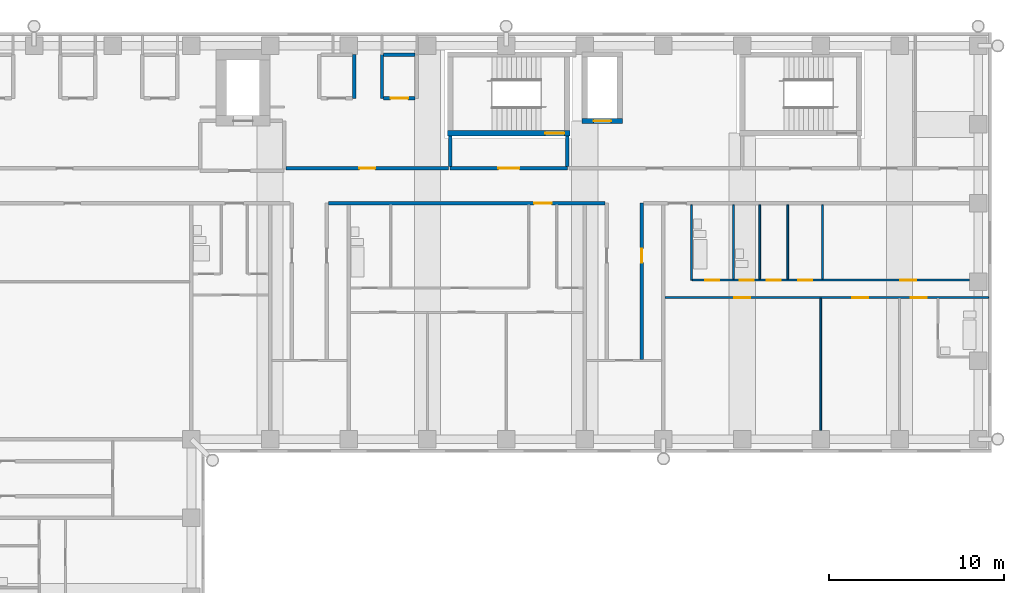
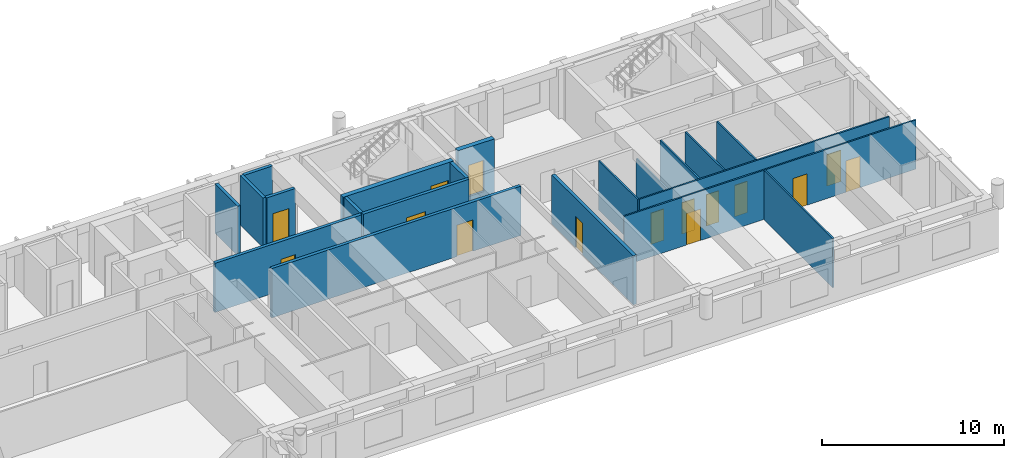
# One storey, part 10 of 15: 20 walls, 15 doors, 15 openings.
"""IFC4 building model written with IfcOpenShell, lengths in metres."""

from ifc_helpers import new_model, si_unit, direction, frame, frame_2d, origin, place, context, subcontext, project, spatial, rectangle, extrude, material, layer, layer_set, type_object, element, fill, save


model = new_model("IFC4")

# Units and contexts
model_context = context("Model", 3, precision=1e-05, world=origin(), true_north=direction((0.0, 1.0)))
body_context = subcontext(model_context, "Body", "Model", "MODEL_VIEW")
ifc_project = project(units=[si_unit("LENGTHUNIT", "METRE"), si_unit("AREAUNIT", "SQUARE_METRE"), si_unit("VOLUMEUNIT", "CUBIC_METRE"), si_unit("PLANEANGLEUNIT", "RADIAN"), si_unit("MASSUNIT", "GRAM", prefix="KILO")], contexts=[model_context])

# Site, building, storey
site_placement = place(None, origin())
site = spatial("IfcSite", under=ifc_project, at=site_placement, CompositionType="ELEMENT")
building_placement = place(site_placement, origin())
building = spatial("IfcBuilding", under=site, at=building_placement, Name="Firuza Court", CompositionType="ELEMENT")
storey_placement = place(building_placement, frame((0.0, 0.0, 137.60009765625)))
storey = spatial("IfcBuildingStorey", under=building, at=storey_placement, Name="L34", CompositionType="ELEMENT", Elevation=137.60009765625)

# Walls
ifc_material_1 = material(Name="Moisture-resistant gypsum board partition")
ifc_layer_1 = layer(ifc_material_1, 0.10009765625)
ifc_layer_set_1 = layer_set([ifc_layer_1], Name="Moisture-resistant gypsum board partition")
wall_type_1 = type_object("IfcWallType", Name="Bathroom partition 100", PredefinedType="PLUMBINGWALL", material=ifc_layer_set_1)
wall_1_placement = place(storey_placement, frame((51.10009765625, 45.10009765625, 0.0), z_axis=(0.0, 0.0, 1.0), x_axis=(0.0, 1.0, 0.0)))
element("IfcWall", 1, at=wall_1_placement, inside=storey, type_object=wall_type_1, Name="Bathroom partition 100 L34", PredefinedType="PLUMBINGWALL", context=body_context, shape_type="SweptSolid", body=[
    extrude(rectangle(XDim=4.2998046875, YDim=0.10009765625, at=frame_2d((2.14990234375, 0.0))), origin(), (0.0, 0.0, 1.0), 3.2998046875),
])
wall_2_placement = place(storey_placement, frame((53.5, 45.14990234375, 0.0), z_axis=(0.0, 0.0, 1.0), x_axis=(0.0, 1.0, 0.0)))
element("IfcWall", 2, at=wall_2_placement, inside=storey, type_object=wall_type_1, Name="Bathroom partition 100 L34", PredefinedType="PLUMBINGWALL", context=body_context, shape_type="SweptSolid", body=[
    extrude(rectangle(XDim=4.25, YDim=0.10009765625, at=frame_2d((2.125, 0.0))), origin(), (0.0, 0.0, 1.0), 2.599853515625),
])
wall_3_placement = place(storey_placement, frame((55.0, 45.14990234375, 0.0), z_axis=(0.0, 0.0, 1.0), x_axis=(0.0, 1.0, 0.0)))
element("IfcWall", 3, at=wall_3_placement, inside=storey, type_object=wall_type_1, Name="Bathroom partition 100 L34", PredefinedType="PLUMBINGWALL", context=body_context, shape_type="SweptSolid", body=[
    extrude(rectangle(XDim=4.25, YDim=0.10009765625, at=frame_2d((2.125, 0.0))), origin(), (0.0, 0.0, 1.0), 3.2998046875),
])

# Wall, opening, door
ifc_material_2 = material(Name="Concrete C60/75", Category="concrete")
ifc_layer_2 = layer(ifc_material_2, 0.300048828125)
ifc_layer_set_2 = layer_set([ifc_layer_2], Name="Concrete C60/75")
wall_type_2 = type_object("IfcWallType", Name="Core wall 300 C60/75", PredefinedType="SHEAR", material=ifc_layer_set_2)
wall_4_placement = place(storey_placement, frame((37.14990234375, 53.5, -0.300048828125), z_axis=(0.0, 0.0, 1.0), x_axis=(1.0, 0.0, 0.0)))
wall_4 = element("IfcWall", 4, at=wall_4_placement, inside=storey, type_object=wall_type_2, Name="Core wall stair L34", PredefinedType="SHEAR", context=body_context, shape_type="SweptSolid", body=[
    extrude(rectangle(XDim=7.0, YDim=0.300048828125, at=frame_2d((3.5, 0.0))), origin(), (0.0, 0.0, 1.0), 3.599853515625),
])
opening_1_placement = place(wall_4_placement, frame((5.580078125, 0.0, 0.300048828125)))
opening_1 = element("IfcOpeningElement", 5, at=opening_1_placement, cuts=wall_4, Name="Opening D34012", PredefinedType="OPENING", context=body_context, shape_type="SweptSolid", body=[
    extrude(rectangle(XDim=1.10009765625, YDim=2.10009765625, at=frame_2d((0.550048828125, 1.050048828125))), frame((0.0, 0.162109375, 0.0), z_axis=(0.0, -1.0, 0.0), x_axis=(1.0, 0.0, 0.0)), (0.0, 0.0, 1.0), 0.323974609375),
])
ifc_material_3 = material(Name="Timber door leaf in hardwood frame", Category="wood")
door_type_1 = type_object("IfcDoorType", Name="Stair door 1100", OperationType="SINGLE_SWING_LEFT", PredefinedType="DOOR", material=ifc_material_3)
door_1_placement = place(opening_1_placement, origin())
door_1 = element("IfcDoor", 6, at=door_1_placement, inside=storey, type_object=door_type_1, Name="Stair door S1", OperationType="SINGLE_SWING_RIGHT", OverallHeight=2.10009765625, OverallWidth=1.10009765625, PredefinedType="DOOR", context=body_context, shape_type="SweptSolid", body=[
    extrude(rectangle(XDim=1.10009765625, YDim=2.10009765625, at=frame_2d((0.550048828125, 1.050048828125))), frame((0.0, 0.02490234375, 0.0), z_axis=(0.0, -1.0, 0.0), x_axis=(1.0, 0.0, 0.0)), (0.0, 0.0, 1.0), 0.050048828125),
])
fill(opening_1, door_1)

wall_5_placement = place(storey_placement, frame((44.85009765625, 54.199951171875, -0.300048828125), z_axis=(0.0, 0.0, 1.0), x_axis=(1.0, 0.0, 0.0)))
wall_5 = element("IfcWall", 7, at=wall_5_placement, inside=storey, type_object=wall_type_2, Name="Core wall riser L34", PredefinedType="SHEAR", context=body_context, shape_type="SweptSolid", body=[
    extrude(rectangle(XDim=2.2998046875, YDim=0.300048828125, at=frame_2d((1.14990234375, 0.0))), origin(), (0.0, 0.0, 1.0), 3.599853515625),
])
opening_2_placement = place(wall_5_placement, frame((0.64990234375, 0.0, 0.300048828125)))
opening_2 = element("IfcOpeningElement", 8, at=opening_2_placement, cuts=wall_5, Name="Opening D34010", PredefinedType="OPENING", context=body_context, shape_type="SweptSolid", body=[
    extrude(rectangle(XDim=1.0, YDim=2.10009765625, at=frame_2d((0.5, 1.050048828125))), frame((0.0, 0.162109375, 0.0), z_axis=(0.0, -1.0, 0.0), x_axis=(1.0, 0.0, 0.0)), (0.0, 0.0, 1.0), 0.323974609375),
])
ifc_material_4 = material(Name="Timber door leaf in hardwood frame", Category="wood")
door_type_2 = type_object("IfcDoorType", Name="Riser door 1000", OperationType="SINGLE_SWING_LEFT", PredefinedType="DOOR", material=ifc_material_4)
door_2_placement = place(opening_2_placement, origin())
door_2 = element("IfcDoor", 9, at=door_2_placement, inside=storey, type_object=door_type_2, Name="Riser door R3", OperationType="SINGLE_SWING_LEFT", OverallHeight=2.10009765625, OverallWidth=1.0, PredefinedType="DOOR", context=body_context, shape_type="SweptSolid", body=[
    extrude(rectangle(XDim=1.0, YDim=2.10009765625, at=frame_2d((0.5, 1.050048828125))), frame((0.0, 0.02490234375, 0.0), z_axis=(0.0, -1.0, 0.0), x_axis=(1.0, 0.0, 0.0)), (0.0, 0.0, 1.0), 0.050048828125),
])
fill(opening_2, door_2)

ifc_material_5 = material(Name="Blockwork, plastered both sides", Category="masonry")
ifc_layer_3 = layer(ifc_material_5, 0.199951171875)
ifc_layer_set_3 = layer_set([ifc_layer_3], Name="Blockwork, plastered both sides")
wall_type_3 = type_object("IfcWallType", Name="Corridor wall 200", PredefinedType="PARTITIONING", material=ifc_layer_set_3)
wall_6_placement = place(storey_placement, frame((48.25, 40.550048828125, 0.0), z_axis=(0.0, 0.0, 1.0), x_axis=(0.0, 1.0, 0.0)))
wall_6 = element("IfcWall", 10, at=wall_6_placement, inside=storey, type_object=wall_type_3, Name="Corridor wall 200 L34", PredefinedType="PARTITIONING", context=body_context, shape_type="SweptSolid", body=[
    extrude(rectangle(XDim=8.949951171875, YDim=0.199951171875, at=frame_2d((4.47509765625, 0.0))), origin(), (0.0, 0.0, 1.0), 3.2998046875),
])
opening_3_placement = place(wall_6_placement, frame((5.550048828125, 0.0, 0.0)))
opening_3 = element("IfcOpeningElement", 11, at=opening_3_placement, cuts=wall_6, Name="Opening D34044", PredefinedType="OPENING", context=body_context, shape_type="SweptSolid", body=[
    extrude(rectangle(XDim=0.800048828125, YDim=2.10009765625, at=frame_2d((0.39990234375, 1.050048828125))), frame((0.0, 0.11181640625, 0.0), z_axis=(0.0, -1.0, 0.0), x_axis=(1.0, 0.0, 0.0)), (0.0, 0.0, 1.0), 0.223876953125),
])
ifc_material_6 = material(Name="Timber door leaf in hardwood frame", Category="wood")
door_type_3 = type_object("IfcDoorType", Name="Room door 800 EI 30", OperationType="SINGLE_SWING_LEFT", PredefinedType="DOOR", material=ifc_material_6)
door_3_placement = place(opening_3_placement, frame((0.800048828125, 0.0, 0.0), z_axis=(0.0, 0.0, 1.0), x_axis=(-1.0, 0.0, 0.0)))
door_3 = element("IfcDoor", 12, at=door_3_placement, inside=storey, type_object=door_type_3, Name="Store door", OperationType="SINGLE_SWING_LEFT", OverallHeight=2.10009765625, OverallWidth=0.800048828125, PredefinedType="DOOR", context=body_context, shape_type="SweptSolid", body=[
    extrude(rectangle(XDim=0.800048828125, YDim=2.10009765625, at=frame_2d((0.39990234375, 1.050048828125))), frame((0.0, 0.02490234375, 0.0), z_axis=(0.0, -1.0, 0.0), x_axis=(1.0, 0.0, 0.0)), (0.0, 0.0, 1.0), 0.050048828125),
])
fill(opening_3, door_3)

wall_7_placement = place(storey_placement, frame((30.35009765625, 49.5, 0.0), z_axis=(0.0, 0.0, 1.0), x_axis=(1.0, 0.0, 0.0)))
wall_7 = element("IfcWall", 13, at=wall_7_placement, inside=storey, type_object=wall_type_3, Name="Corridor wall 200 L34", PredefinedType="PARTITIONING", context=body_context, shape_type="SweptSolid", body=[
    extrude(rectangle(XDim=15.7998046875, YDim=0.199951171875, at=frame_2d((7.89990234375, 0.0))), origin(), (0.0, 0.0, 1.0), 3.2998046875),
])
opening_4_placement = place(wall_7_placement, frame((11.75, 0.0, 0.0)))
opening_4 = element("IfcOpeningElement", 14, at=opening_4_placement, cuts=wall_7, Name="Opening D34065", PredefinedType="OPENING", context=body_context, shape_type="SweptSolid", body=[
    extrude(rectangle(XDim=1.0, YDim=2.10009765625, at=frame_2d((0.5, 1.050048828125))), frame((0.0, 0.11181640625, 0.0), z_axis=(0.0, -1.0, 0.0), x_axis=(1.0, 0.0, 0.0)), (0.0, 0.0, 1.0), 0.223876953125),
])
ifc_material_7 = material(Name="Timber door leaf in hardwood frame", Category="wood")
door_type_4 = type_object("IfcDoorType", Name="Flat entrance door 1000", OperationType="SINGLE_SWING_LEFT", PredefinedType="DOOR", material=ifc_material_7)
door_4_placement = place(opening_4_placement, origin())
door_4 = element("IfcDoor", 15, at=door_4_placement, inside=storey, type_object=door_type_4, Name="Flat entrance door", OperationType="SINGLE_SWING_LEFT", OverallHeight=2.10009765625, OverallWidth=1.0, PredefinedType="DOOR", context=body_context, shape_type="SweptSolid", body=[
    extrude(rectangle(XDim=1.0, YDim=2.10009765625, at=frame_2d((0.5, 1.050048828125))), frame((0.0, 0.02490234375, 0.0), z_axis=(0.0, -1.0, 0.0), x_axis=(1.0, 0.0, 0.0)), (0.0, 0.0, 1.0), 0.050048828125),
])
fill(opening_4, door_4)

wall_8_placement = place(storey_placement, frame((27.89990234375, 51.5, 0.0), z_axis=(0.0, 0.0, 1.0), x_axis=(1.0, 0.0, 0.0)))
wall_8 = element("IfcWall", 16, at=wall_8_placement, inside=storey, type_object=wall_type_3, Name="Corridor wall 200 L34", PredefinedType="PARTITIONING", context=body_context, shape_type="SweptSolid", body=[
    extrude(rectangle(XDim=9.300048828125, YDim=0.199951171875, at=frame_2d((4.64990234375, 0.0))), origin(), (0.0, 0.0, 1.0), 3.2998046875),
])
opening_5_placement = place(wall_8_placement, frame((4.199951171875, 0.0, 0.0)))
opening_5 = element("IfcOpeningElement", 17, at=opening_5_placement, cuts=wall_8, Name="Opening D34068", PredefinedType="OPENING", context=body_context, shape_type="SweptSolid", body=[
    extrude(rectangle(XDim=0.89990234375, YDim=2.10009765625, at=frame_2d((0.449951171875, 1.050048828125))), frame((0.0, 0.11181640625, 0.0), z_axis=(0.0, -1.0, 0.0), x_axis=(1.0, 0.0, 0.0)), (0.0, 0.0, 1.0), 0.223876953125),
])
ifc_material_8 = material(Name="Timber door leaf in hardwood frame", Category="wood")
door_type_5 = type_object("IfcDoorType", Name="Room door 900 EI 30", OperationType="SINGLE_SWING_LEFT", PredefinedType="DOOR", material=ifc_material_8)
door_5_placement = place(opening_5_placement, origin())
door_5 = element("IfcDoor", 18, at=door_5_placement, inside=storey, type_object=door_type_5, Name="Meeting room door", OperationType="SINGLE_SWING_LEFT", OverallHeight=2.10009765625, OverallWidth=0.89990234375, PredefinedType="DOOR", context=body_context, shape_type="SweptSolid", body=[
    extrude(rectangle(XDim=0.89990234375, YDim=2.10009765625, at=frame_2d((0.449951171875, 1.050048828125))), frame((0.0, 0.02490234375, 0.0), z_axis=(0.0, -1.0, 0.0), x_axis=(1.0, 0.0, 0.0)), (0.0, 0.0, 1.0), 0.050048828125),
])
fill(opening_5, door_5)

# Wall
ifc_material_9 = material(Name="Timber stud partition, plasterboard both sides", Category="wood")
ifc_layer_4 = layer(ifc_material_9, 0.10009765625)
ifc_layer_set_4 = layer_set([ifc_layer_4], Name="Timber stud partition, plasterboard both sides")
wall_type_4 = type_object("IfcWallType", Name="Partition wall 100", PredefinedType="PARTITIONING", material=ifc_layer_set_4)
wall_9_placement = place(storey_placement, frame((58.5, 36.5, 0.0), z_axis=(0.0, 0.0, 1.0), x_axis=(0.0, 1.0, 0.0)))
element("IfcWall", 19, at=wall_9_placement, inside=storey, type_object=wall_type_4, Name="Partition wall 100 L34", PredefinedType="PARTITIONING", context=body_context, shape_type="SweptSolid", body=[
    extrude(rectangle(XDim=7.550048828125, YDim=0.10009765625, at=frame_2d((3.77490234375, 0.0))), origin(), (0.0, 0.0, 1.0), 3.2998046875),
])

# Wall, openings, doors
wall_10_placement = place(storey_placement, frame((49.60009765625, 44.10009765625, 0.0), z_axis=(0.0, 0.0, 1.0), x_axis=(1.0, 0.0, 0.0)))
wall_10 = element("IfcWall", 20, at=wall_10_placement, inside=storey, type_object=wall_type_4, Name="Partition wall 100 L34", PredefinedType="PARTITIONING", context=body_context, shape_type="SweptSolid", body=[
    extrude(rectangle(XDim=18.5, YDim=0.10009765625, at=frame_2d((9.25, 0.0))), origin(), (0.0, 0.0, 1.0), 3.2998046875),
])
opening_6_placement = place(wall_10_placement, frame((3.949951171875, 0.0, 0.0)))
opening_6 = element("IfcOpeningElement", 21, at=opening_6_placement, cuts=wall_10, Name="Opening D34049", PredefinedType="OPENING", context=body_context, shape_type="SweptSolid", body=[
    extrude(rectangle(XDim=0.89990234375, YDim=2.10009765625, at=frame_2d((0.449951171875, 1.050048828125))), frame((0.0, 0.06201171875, 0.0), z_axis=(0.0, -1.0, 0.0), x_axis=(1.0, 0.0, 0.0)), (0.0, 0.0, 1.0), 0.1240234375),
])
opening_7_placement = place(wall_10_placement, frame((10.699951171875, 0.0, 0.0)))
opening_7 = element("IfcOpeningElement", 22, at=opening_7_placement, cuts=wall_10, Name="Opening D34050", PredefinedType="OPENING", context=body_context, shape_type="SweptSolid", body=[
    extrude(rectangle(XDim=0.89990234375, YDim=2.10009765625, at=frame_2d((0.449951171875, 1.050048828125))), frame((0.0, 0.06201171875, 0.0), z_axis=(0.0, -1.0, 0.0), x_axis=(1.0, 0.0, 0.0)), (0.0, 0.0, 1.0), 0.1240234375),
])
opening_8_placement = place(wall_10_placement, frame((14.050048828125, 0.0, 0.0)))
opening_8 = element("IfcOpeningElement", 23, at=opening_8_placement, cuts=wall_10, Name="Opening D34051", PredefinedType="OPENING", context=body_context, shape_type="SweptSolid", body=[
    extrude(rectangle(XDim=0.89990234375, YDim=2.10009765625, at=frame_2d((0.449951171875, 1.050048828125))), frame((0.0, 0.06201171875, 0.0), z_axis=(0.0, -1.0, 0.0), x_axis=(1.0, 0.0, 0.0)), (0.0, 0.0, 1.0), 0.1240234375),
])
ifc_material_10 = material(Name="Timber door leaf in hardwood frame", Category="wood")
door_type_6 = type_object("IfcDoorType", Name="Room door 900", OperationType="SINGLE_SWING_LEFT", PredefinedType="DOOR", material=ifc_material_10)
door_6_placement = place(opening_6_placement, frame((0.89990234375, 0.0, 0.0), z_axis=(0.0, 0.0, 1.0), x_axis=(-1.0, 0.0, 0.0)))
door_6 = element("IfcDoor", 24, at=door_6_placement, inside=storey, type_object=door_type_6, Name="Living room door", OperationType="SINGLE_SWING_RIGHT", OverallHeight=2.10009765625, OverallWidth=0.89990234375, PredefinedType="DOOR", context=body_context, shape_type="SweptSolid", body=[
    extrude(rectangle(XDim=0.89990234375, YDim=2.10009765625, at=frame_2d((0.449951171875, 1.050048828125))), frame((0.0, 0.02490234375, 0.0), z_axis=(0.0, -1.0, 0.0), x_axis=(1.0, 0.0, 0.0)), (0.0, 0.0, 1.0), 0.050048828125),
])
fill(opening_6, door_6)
door_7_placement = place(opening_7_placement, frame((0.89990234375, 0.0, 0.0), z_axis=(0.0, 0.0, 1.0), x_axis=(-1.0, 0.0, 0.0)))
door_7 = element("IfcDoor", 25, at=door_7_placement, inside=storey, type_object=door_type_6, Name="Bedroom door", OperationType="SINGLE_SWING_RIGHT", OverallHeight=2.10009765625, OverallWidth=0.89990234375, PredefinedType="DOOR", context=body_context, shape_type="SweptSolid", body=[
    extrude(rectangle(XDim=0.89990234375, YDim=2.10009765625, at=frame_2d((0.449951171875, 1.050048828125))), frame((0.0, 0.02490234375, 0.0), z_axis=(0.0, -1.0, 0.0), x_axis=(1.0, 0.0, 0.0)), (0.0, 0.0, 1.0), 0.050048828125),
])
fill(opening_7, door_7)
door_8_placement = place(opening_8_placement, origin())
door_8 = element("IfcDoor", 26, at=door_8_placement, inside=storey, type_object=door_type_6, Name="Bedroom door", OperationType="SINGLE_SWING_RIGHT", OverallHeight=2.10009765625, OverallWidth=0.89990234375, PredefinedType="DOOR", context=body_context, shape_type="SweptSolid", body=[
    extrude(rectangle(XDim=0.89990234375, YDim=2.10009765625, at=frame_2d((0.449951171875, 1.050048828125))), frame((0.0, 0.02490234375, 0.0), z_axis=(0.0, -1.0, 0.0), x_axis=(1.0, 0.0, 0.0)), (0.0, 0.0, 1.0), 0.050048828125),
])
fill(opening_8, door_8)

wall_11_placement = place(storey_placement, frame((51.14990234375, 45.10009765625, 0.0), z_axis=(0.0, 0.0, 1.0), x_axis=(1.0, 0.0, 0.0)))
wall_11 = element("IfcWall", 27, at=wall_11_placement, inside=storey, type_object=wall_type_4, Name="Partition wall 100 L34", PredefinedType="PARTITIONING", context=body_context, shape_type="SweptSolid", body=[
    extrude(rectangle(XDim=15.85009765625, YDim=0.10009765625, at=frame_2d((7.925048828125, 0.0))), origin(), (0.0, 0.0, 1.0), 3.2998046875),
])
opening_9_placement = place(wall_11_placement, frame((0.75, 0.0, 0.0)))
opening_9 = element("IfcOpeningElement", 28, at=opening_9_placement, cuts=wall_11, Name="Opening D34056", PredefinedType="OPENING", context=body_context, shape_type="SweptSolid", body=[
    extrude(rectangle(XDim=0.800048828125, YDim=2.10009765625, at=frame_2d((0.39990234375, 1.050048828125))), frame((0.0, 0.06201171875, 0.0), z_axis=(0.0, -1.0, 0.0), x_axis=(1.0, 0.0, 0.0)), (0.0, 0.0, 1.0), 0.1240234375),
])
opening_10_placement = place(wall_11_placement, frame((11.89990234375, 0.0, 0.0)))
opening_10 = element("IfcOpeningElement", 29, at=opening_10_placement, cuts=wall_11, Name="Opening D34057", PredefinedType="OPENING", context=body_context, shape_type="SweptSolid", body=[
    extrude(rectangle(XDim=0.89990234375, YDim=2.10009765625, at=frame_2d((0.449951171875, 1.050048828125))), frame((0.0, 0.06201171875, 0.0), z_axis=(0.0, -1.0, 0.0), x_axis=(1.0, 0.0, 0.0)), (0.0, 0.0, 1.0), 0.1240234375),
])
opening_11_placement = place(wall_11_placement, frame((4.25, 0.0, 0.0)))
opening_11 = element("IfcOpeningElement", 30, at=opening_11_placement, cuts=wall_11, Name="Opening D34058", PredefinedType="OPENING", context=body_context, shape_type="SweptSolid", body=[
    extrude(rectangle(XDim=0.800048828125, YDim=2.10009765625, at=frame_2d((0.39990234375, 1.050048828125))), frame((0.0, 0.06201171875, 0.0), z_axis=(0.0, -1.0, 0.0), x_axis=(1.0, 0.0, 0.0)), (0.0, 0.0, 1.0), 0.1240234375),
])
opening_12_placement = place(wall_11_placement, frame((6.050048828125, 0.0, 0.0)))
opening_12 = element("IfcOpeningElement", 31, at=opening_12_placement, cuts=wall_11, Name="Opening D34059", PredefinedType="OPENING", context=body_context, shape_type="SweptSolid", body=[
    extrude(rectangle(XDim=0.800048828125, YDim=2.10009765625, at=frame_2d((0.39990234375, 1.050048828125))), frame((0.0, 0.06201171875, 0.0), z_axis=(0.0, -1.0, 0.0), x_axis=(1.0, 0.0, 0.0)), (0.0, 0.0, 1.0), 0.1240234375),
])
opening_13_placement = place(wall_11_placement, frame((2.699951171875, 0.0, 0.0)))
opening_13 = element("IfcOpeningElement", 32, at=opening_13_placement, cuts=wall_11, Name="Opening D34060", PredefinedType="OPENING", context=body_context, shape_type="SweptSolid", body=[
    extrude(rectangle(XDim=0.800048828125, YDim=2.10009765625, at=frame_2d((0.39990234375, 1.050048828125))), frame((0.0, 0.06201171875, 0.0), z_axis=(0.0, -1.0, 0.0), x_axis=(1.0, 0.0, 0.0)), (0.0, 0.0, 1.0), 0.1240234375),
])
ifc_material_11 = material(Name="Timber door leaf in hardwood frame", Category="wood")
door_type_7 = type_object("IfcDoorType", Name="Bathroom door 800", OperationType="SINGLE_SWING_LEFT", PredefinedType="DOOR", material=ifc_material_11)
door_9_placement = place(opening_9_placement, origin())
door_9 = element("IfcDoor", 33, at=door_9_placement, inside=storey, type_object=door_type_7, Name="Bathroom door", OperationType="SINGLE_SWING_LEFT", OverallHeight=2.10009765625, OverallWidth=0.800048828125, PredefinedType="DOOR", context=body_context, shape_type="SweptSolid", body=[
    extrude(rectangle(XDim=0.800048828125, YDim=2.10009765625, at=frame_2d((0.39990234375, 1.050048828125))), frame((0.0, 0.02490234375, 0.0), z_axis=(0.0, -1.0, 0.0), x_axis=(1.0, 0.0, 0.0)), (0.0, 0.0, 1.0), 0.050048828125),
])
fill(opening_9, door_9)
door_10_placement = place(opening_13_placement, origin())
door_10 = element("IfcDoor", 34, at=door_10_placement, inside=storey, type_object=door_type_7, Name="Powder room door", OperationType="SINGLE_SWING_LEFT", OverallHeight=2.10009765625, OverallWidth=0.800048828125, PredefinedType="DOOR", context=body_context, shape_type="SweptSolid", body=[
    extrude(rectangle(XDim=0.800048828125, YDim=2.10009765625, at=frame_2d((0.39990234375, 1.050048828125))), frame((0.0, 0.02490234375, 0.0), z_axis=(0.0, -1.0, 0.0), x_axis=(1.0, 0.0, 0.0)), (0.0, 0.0, 1.0), 0.050048828125),
])
fill(opening_13, door_10)
ifc_material_12 = material(Name="Timber door leaf in hardwood frame", Category="wood")
door_type_8 = type_object("IfcDoorType", Name="Room door 800", OperationType="SINGLE_SWING_LEFT", PredefinedType="DOOR", material=ifc_material_12)
door_11_placement = place(opening_11_placement, origin())
door_11 = element("IfcDoor", 35, at=door_11_placement, inside=storey, type_object=door_type_8, Name="Store door", OperationType="SINGLE_SWING_LEFT", OverallHeight=2.10009765625, OverallWidth=0.800048828125, PredefinedType="DOOR", context=body_context, shape_type="SweptSolid", body=[
    extrude(rectangle(XDim=0.800048828125, YDim=2.10009765625, at=frame_2d((0.39990234375, 1.050048828125))), frame((0.0, 0.02490234375, 0.0), z_axis=(0.0, -1.0, 0.0), x_axis=(1.0, 0.0, 0.0)), (0.0, 0.0, 1.0), 0.050048828125),
])
fill(opening_11, door_11)
door_12_placement = place(opening_12_placement, origin())
door_12 = element("IfcDoor", 36, at=door_12_placement, inside=storey, type_object=door_type_8, Name="Utility room door", OperationType="SINGLE_SWING_LEFT", OverallHeight=2.10009765625, OverallWidth=0.800048828125, PredefinedType="DOOR", context=body_context, shape_type="SweptSolid", body=[
    extrude(rectangle(XDim=0.800048828125, YDim=2.10009765625, at=frame_2d((0.39990234375, 1.050048828125))), frame((0.0, 0.02490234375, 0.0), z_axis=(0.0, -1.0, 0.0), x_axis=(1.0, 0.0, 0.0)), (0.0, 0.0, 1.0), 0.050048828125),
])
fill(opening_12, door_12)
door_13_placement = place(opening_10_placement, origin())
door_13 = element("IfcDoor", 37, at=door_13_placement, inside=storey, type_object=door_type_6, Name="Kitchen door", OperationType="SINGLE_SWING_RIGHT", OverallHeight=2.10009765625, OverallWidth=0.89990234375, PredefinedType="DOOR", context=body_context, shape_type="SweptSolid", body=[
    extrude(rectangle(XDim=0.89990234375, YDim=2.10009765625, at=frame_2d((0.449951171875, 1.050048828125))), frame((0.0, 0.02490234375, 0.0), z_axis=(0.0, -1.0, 0.0), x_axis=(1.0, 0.0, 0.0)), (0.0, 0.0, 1.0), 0.050048828125),
])
fill(opening_10, door_13)

# Walls
for number, where, z_axis, x_axis, name in (
    (38, (56.60009765625, 45.14990234375, 0.0), (0.0, 0.0, 1.0), (0.0, 1.0, 0.0), "Partition wall 100 L34"),
    (39, (58.60009765625, 45.14990234375, 0.0), (0.0, 0.0, 1.0), (0.0, 1.0, 0.0), "Partition wall 100 L34"),
):
    element("IfcWall", number, at=place(storey_placement, frame(where, z_axis=z_axis, x_axis=x_axis)), inside=storey, type_object=wall_type_4, Name=name, PredefinedType="PARTITIONING", context=body_context, shape_type="SweptSolid", body=[
        extrude(rectangle(XDim=4.25, YDim=0.10009765625, at=frame_2d((2.125, 0.0))), origin(), (0.0, 0.0, 1.0), 3.2998046875),
    ])
ifc_material_13 = material(Name="Blockwork, fire-rated", Category="masonry")
ifc_layer_5 = layer(ifc_material_13, 0.199951171875)
ifc_layer_set_5 = layer_set([ifc_layer_5], Name="Blockwork, fire-rated")
wall_type_5 = type_object("IfcWallType", Name="Plant room wall 200", PredefinedType="PARTITIONING", material=ifc_layer_set_5)
for number, where, z_axis, x_axis, name in (
    (40, (31.800048828125, 55.5, 0.0), (0.0, 0.0, 1.0), (0.0, 1.0, 0.0), "Plant room wall 200 L34"),
    (41, (33.39990234375, 55.5, 0.0), (0.0, 0.0, 1.0), (0.0, 1.0, 0.0), "Plant room wall 200 L34"),
):
    element("IfcWall", number, at=place(storey_placement, frame(where, z_axis=z_axis, x_axis=x_axis)), inside=storey, type_object=wall_type_5, Name=name, PredefinedType="PARTITIONING", context=body_context, shape_type="SweptSolid", body=[
        extrude(rectangle(XDim=2.5, YDim=0.199951171875, at=frame_2d((1.25, 0.0))), origin(), (0.0, 0.0, 1.0), 3.2998046875),
    ])

# Wall, opening, door
wall_12_placement = place(storey_placement, frame((33.5, 55.5, 0.0), z_axis=(0.0, 0.0, 1.0), x_axis=(1.0, 0.0, 0.0)))
wall_12 = element("IfcWall", 42, at=wall_12_placement, inside=storey, type_object=wall_type_5, Name="Plant room wall 200 L34", PredefinedType="PARTITIONING", context=body_context, shape_type="SweptSolid", body=[
    extrude(rectangle(XDim=1.800048828125, YDim=0.199951171875, at=frame_2d((0.89990234375, 0.0))), origin(), (0.0, 0.0, 1.0), 3.2998046875),
])
opening_14_placement = place(wall_12_placement, frame((0.39990234375, 0.0, 0.0)))
opening_14 = element("IfcOpeningElement", 43, at=opening_14_placement, cuts=wall_12, Name="Opening D34076", PredefinedType="OPENING", context=body_context, shape_type="SweptSolid", body=[
    extrude(rectangle(XDim=1.0, YDim=2.10009765625, at=frame_2d((0.5, 1.050048828125))), frame((0.0, 0.11181640625, 0.0), z_axis=(0.0, -1.0, 0.0), x_axis=(1.0, 0.0, 0.0)), (0.0, 0.0, 1.0), 0.223876953125),
])
door_14_placement = place(opening_14_placement, origin())
door_14 = element("IfcDoor", 44, at=door_14_placement, inside=storey, type_object=door_type_2, Name="Duct riser door", OperationType="SINGLE_SWING_LEFT", OverallHeight=2.10009765625, OverallWidth=1.0, PredefinedType="DOOR", context=body_context, shape_type="SweptSolid", body=[
    extrude(rectangle(XDim=1.0, YDim=2.10009765625, at=frame_2d((0.5, 1.050048828125))), frame((0.0, 0.02490234375, 0.0), z_axis=(0.0, -1.0, 0.0), x_axis=(1.0, 0.0, 0.0)), (0.0, 0.0, 1.0), 0.050048828125),
])
fill(opening_14, door_14)

# Wall
wall_13_placement = place(storey_placement, frame((33.5, 58.0, 0.0), z_axis=(0.0, 0.0, 1.0), x_axis=(1.0, 0.0, 0.0)))
element("IfcWall", 45, at=wall_13_placement, inside=storey, type_object=wall_type_5, Name="Plant room wall 200 L34", PredefinedType="PARTITIONING", context=body_context, shape_type="SweptSolid", body=[
    extrude(rectangle(XDim=1.800048828125, YDim=0.199951171875, at=frame_2d((0.89990234375, 0.0))), origin(), (0.0, 0.0, 1.0), 3.2998046875),
])

# Wall, opening, door
ifc_layer_6 = layer(ifc_material_13, 0.199951171875)
ifc_layer_set_6 = layer_set([ifc_layer_6], Name="Blockwork, fire-rated")
wall_type_6 = type_object("IfcWallType", Name="Shaft wall 200", PredefinedType="PARTITIONING", material=ifc_layer_set_6)
wall_14_placement = place(storey_placement, frame((37.300048828125, 51.5, 0.0), z_axis=(0.0, 0.0, 1.0), x_axis=(1.0, 0.0, 0.0)))
wall_14 = element("IfcWall", 46, at=wall_14_placement, inside=storey, type_object=wall_type_6, Name="Shaft wall 200 L34", PredefinedType="PARTITIONING", context=body_context, shape_type="SweptSolid", body=[
    extrude(rectangle(XDim=6.699951171875, YDim=0.199951171875, at=frame_2d((3.35009765625, 0.0))), origin(), (0.0, 0.0, 1.0), 3.2998046875),
])
opening_15_placement = place(wall_14_placement, frame((2.75, 0.0, 0.0)))
opening_15 = element("IfcOpeningElement", 47, at=opening_15_placement, cuts=wall_14, Name="Opening D34006", PredefinedType="OPENING", context=body_context, shape_type="SweptSolid", body=[
    extrude(rectangle(XDim=1.199951171875, YDim=2.10009765625, at=frame_2d((0.60009765625, 1.050048828125))), frame((0.0, 0.11181640625, 0.0), z_axis=(0.0, -1.0, 0.0), x_axis=(1.0, 0.0, 0.0)), (0.0, 0.0, 1.0), 0.223876953125),
])
ifc_material_14 = material(Name="Timber door leaf in hardwood frame", Category="wood")
door_type_9 = type_object("IfcDoorType", Name="Lobby door 1200", OperationType="SINGLE_SWING_LEFT", PredefinedType="DOOR", material=ifc_material_14)
door_15_placement = place(opening_15_placement, origin())
door_15 = element("IfcDoor", 48, at=door_15_placement, inside=storey, type_object=door_type_9, Name="Lobby door", OperationType="SINGLE_SWING_LEFT", OverallHeight=2.10009765625, OverallWidth=1.199951171875, PredefinedType="DOOR", context=body_context, shape_type="SweptSolid", body=[
    extrude(rectangle(XDim=1.199951171875, YDim=2.10009765625, at=frame_2d((0.60009765625, 1.050048828125))), frame((0.0, 0.02490234375, 0.0), z_axis=(0.0, -1.0, 0.0), x_axis=(1.0, 0.0, 0.0)), (0.0, 0.0, 1.0), 0.050048828125),
])
fill(opening_15, door_15)

# Walls
for number, where, z_axis, x_axis, name in (
    (49, (44.0, 51.60009765625, 0.0), (0.0, 0.0, 1.0), (0.0, 1.0, 0.0), "Shaft wall 200 L34"),
    (50, (37.300048828125, 51.60009765625, 0.0), (0.0, 0.0, 1.0), (0.0, 1.0, 0.0), "Shaft wall 200 L34"),
):
    element("IfcWall", number, at=place(storey_placement, frame(where, z_axis=z_axis, x_axis=x_axis)), inside=storey, type_object=wall_type_6, Name=name, PredefinedType="PARTITIONING", context=body_context, shape_type="SweptSolid", body=[
        extrude(rectangle(XDim=1.72998046875, YDim=0.199951171875, at=frame_2d((0.864990234375, 0.0))), origin(), (0.0, 0.0, 1.0), 3.2998046875),
    ])

save(model, "model.ifc")
